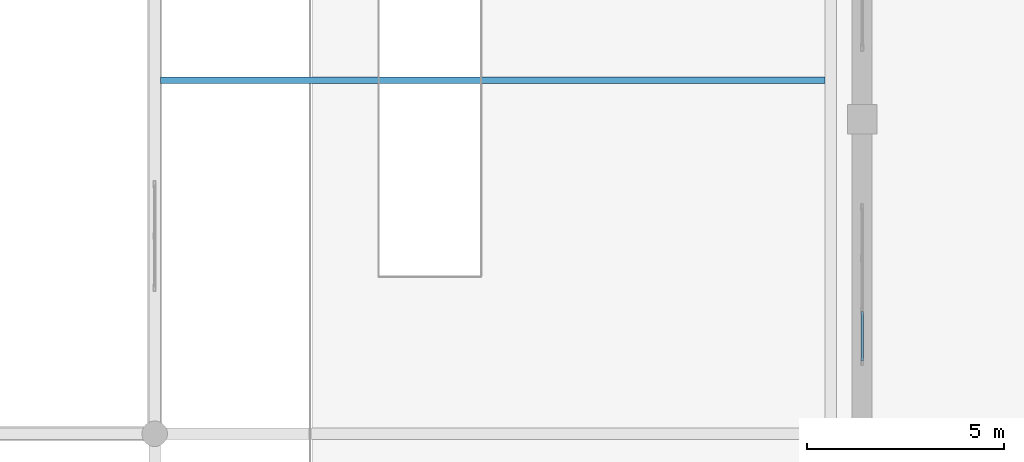
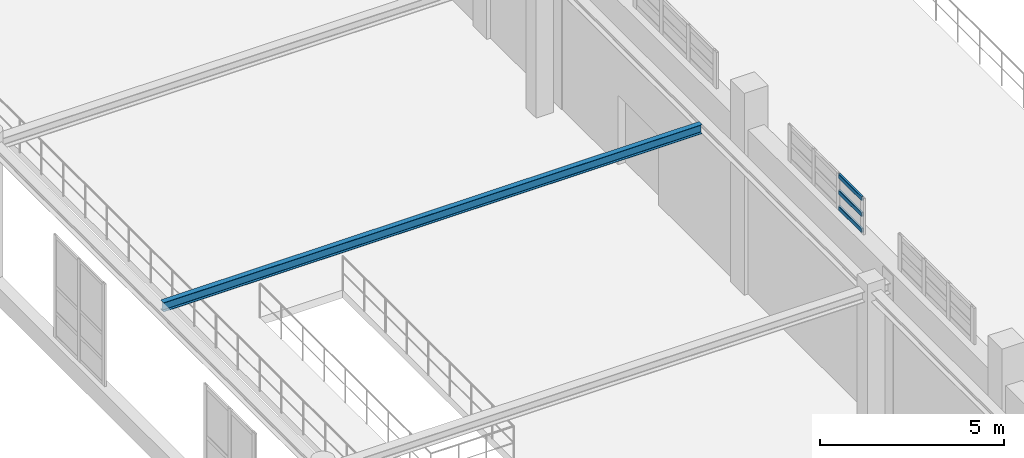
# One storey, part 105 of 197: 3 members, 1 beam, 1 element without a shape of its own.
"""IFC4 building model written with IfcOpenShell, lengths in metres."""

from ifc_helpers import new_model, si_unit, derived_unit, direction, frame, origin, origin_2d, place, context, subcontext, project, spatial, hollow_rectangle, i_section, extrude, material, layer, layer_set, material_profile, profile_set, type_object, element, aggregate, save


model = new_model("IFC4")

# Units and contexts
model_context = context("Model", 3, precision=1e-05, world=origin(), true_north=direction((0.0, 1.0)))
body_context = subcontext(model_context, "Body", "Model", "MODEL_VIEW")
ifc_project = project(units=[si_unit("LENGTHUNIT", "METRE"), si_unit("AREAUNIT", "SQUARE_METRE"), si_unit("VOLUMEUNIT", "CUBIC_METRE"), si_unit("PLANEANGLEUNIT", "RADIAN"), si_unit("MASSUNIT", "GRAM", prefix="KILO"), derived_unit("THERMALTRANSMITTANCEUNIT", [(si_unit("POWERUNIT", "WATT"), 1), (si_unit("LENGTHUNIT", "METRE"), -2), (si_unit("THERMODYNAMICTEMPERATUREUNIT", "KELVIN"), -1)])], contexts=[model_context])

# Site, building, storey
site_placement = place(None, origin())
site = spatial("IfcSite", under=ifc_project, at=site_placement, CompositionType="ELEMENT")
building_placement = place(site_placement, origin())
building = spatial("IfcBuilding", under=site, at=building_placement, Name="Almenara Railside Exhibition Hall", CompositionType="ELEMENT")
storey_placement = place(building_placement, frame((0.0, 0.0, 5.39990234375)))
storey = spatial("IfcBuildingStorey", under=building, at=storey_placement, Name="L01", CompositionType="ELEMENT", Elevation=5.39990234375)

# Curtain wall, members
ifc_material_1 = material(Name="Bronze-anodised aluminium and low-E double glazing", Category="aluminium")
ifc_layer = layer(ifc_material_1, 0.179931640625, Name="Bronze-anodised aluminium and low-E double glazing")
ifc_layer_set = layer_set([ifc_layer], Name="Bronze-anodised aluminium and low-E double glazing")
curtain_wall_type = type_object("IfcCurtainWallType", Name="East Hall Clerestory Curtain Wall 4000x2100", PredefinedType="NOTDEFINED", material=ifc_layer_set)
curtain_wall_placement = place(storey_placement, origin())
curtain_wall = element("IfcCurtainWall", 1, at=curtain_wall_placement, inside=storey, type_object=curtain_wall_type, Name="Curtain wall CW-CL4-056", PredefinedType="NOTDEFINED")
ifc_material_2 = material(Name="Bronze-anodised aluminium", Category="aluminium")
ifc_material_profile_1 = material_profile(ifc_material_2, hollow_rectangle(XDim=0.06494140625, YDim=0.139892578125, WallThickness=0.00341796875, InnerFilletRadius=0.00341796875, OuterFilletRadius=0.007080078125, at=origin_2d()), Name="ALU-TRN 65x140x3.5")
ifc_profile_set_1 = profile_set([ifc_material_profile_1], Name="Bronze-anodised aluminium")
member_type = type_object("IfcMemberType", Name="Curtain Wall Transom 65x140x3.5", PredefinedType="USERDEFINED", material=ifc_profile_set_1)
member_1_placement = place(storey_placement, frame((138.0, 55.85693359375, 5.52001953125), z_axis=(0.0, 1.0, 0.0), x_axis=(-1.0, 0.0, 0.0)))
member_1 = element("IfcMember", 2, at=member_1_placement, type_object=member_type, Name="CW-CL4-056 transom 1.1", ObjectType="TRANSOM", PredefinedType="USERDEFINED", context=body_context, shape_type="SweptSolid", body=[
    extrude(hollow_rectangle(XDim=0.06494140625, YDim=0.139892578125, WallThickness=0.00341796875, InnerFilletRadius=0.00341796875, OuterFilletRadius=0.007080078125, at=origin_2d()), origin(), (0.0, 0.0, 1.0), 1.251953125),
])
member_2_placement = place(storey_placement, frame((138.0, 55.85693359375, 6.050048828125), z_axis=(0.0, 1.0, 0.0), x_axis=(-1.0, 0.0, 0.0)))
member_2 = element("IfcMember", 3, at=member_2_placement, type_object=member_type, Name="CW-CL4-056 transom 1.2", ObjectType="TRANSOM", PredefinedType="USERDEFINED", context=body_context, shape_type="SweptSolid", body=[
    extrude(hollow_rectangle(XDim=0.06494140625, YDim=0.139892578125, WallThickness=0.00341796875, InnerFilletRadius=0.00341796875, OuterFilletRadius=0.007080078125, at=origin_2d()), origin(), (0.0, 0.0, 1.0), 1.251953125),
])
member_3_placement = place(storey_placement, frame((138.0, 55.85693359375, 6.580078125), z_axis=(0.0, 1.0, 0.0), x_axis=(-1.0, 0.0, 0.0)))
member_3 = element("IfcMember", 4, at=member_3_placement, type_object=member_type, Name="CW-CL4-056 transom 1.3", ObjectType="TRANSOM", PredefinedType="USERDEFINED", context=body_context, shape_type="SweptSolid", body=[
    extrude(hollow_rectangle(XDim=0.06494140625, YDim=0.139892578125, WallThickness=0.00341796875, InnerFilletRadius=0.00341796875, OuterFilletRadius=0.007080078125, at=origin_2d()), origin(), (0.0, 0.0, 1.0), 1.251953125),
])
aggregate(curtain_wall, [member_1, member_2, member_3])

# Beam
ifc_material_3 = material(Name="Structural steel S355JR", Category="steel")
ifc_material_profile_2 = material_profile(ifc_material_3, i_section(OverallWidth=0.165771484375, OverallDepth=0.306640625, WebThickness=0.006591796875, FlangeThickness=0.01171875, FilletRadius=0.0087890625, at=origin_2d()), Name="UB 305x165x46")
ifc_profile_set_2 = profile_set([ifc_material_profile_2], Name="Structural steel S355JR")
beam_type = type_object("IfcBeamType", Name="Steel Walkway Joist UB 305x165x46 S355JR", PredefinedType="JOIST", material=ifc_profile_set_2)
beam_placement = place(storey_placement, frame((120.14990234375, 63.0, 4.932861328125), z_axis=(1.0, 0.0, 0.0), x_axis=(0.0, 1.0, 0.0)))
element("IfcBeam", 5, at=beam_placement, inside=storey, type_object=beam_type, Name="Beam 0793", PredefinedType="JOIST", context=body_context, shape_type="SweptSolid", body=[
    extrude(i_section(OverallWidth=0.165771484375, OverallDepth=0.306640625, WebThickness=0.006591796875, FlangeThickness=0.01171875, FilletRadius=0.0087890625, at=origin_2d()), origin(), (0.0, 0.0, 1.0), 16.900146484375),
])

save(model, "model.ifc")
